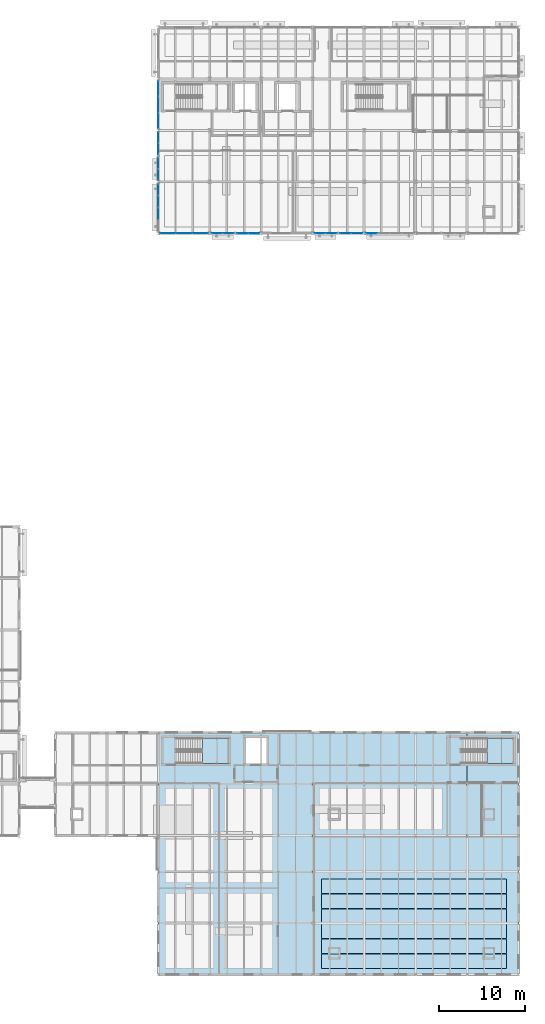
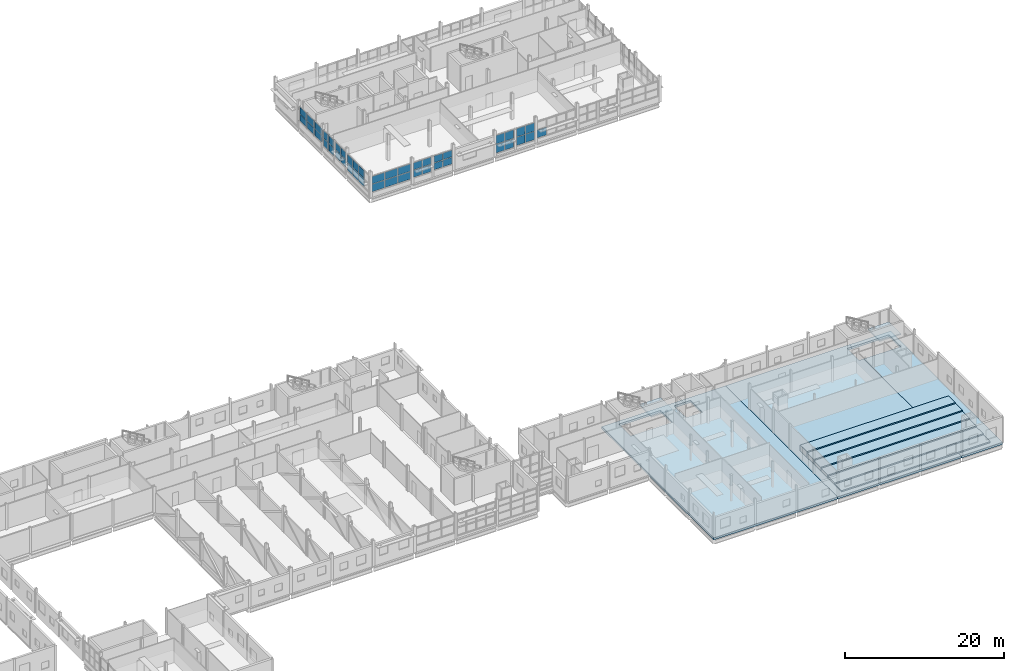
# One storey, part 49 of 92: 43 plates, 11 slabs, 12 elements without a shape of their own.
"""IFC4 building model written with IfcOpenShell, lengths in metres."""

from ifc_helpers import new_model, si_unit, direction, frame, origin, origin_2d, place, context, subcontext, project, spatial, polyline, rectangle, outline, extrude, material, layer, layer_set, type_object, element, aggregate, save


model = new_model("IFC4")

# Units and contexts
model_context = context("Model", 3, precision=1e-05, world=origin(), true_north=direction((0.0, 1.0)))
body_context = subcontext(model_context, "Body", "Model", "MODEL_VIEW")
ifc_project = project(units=[si_unit("LENGTHUNIT", "METRE"), si_unit("AREAUNIT", "SQUARE_METRE"), si_unit("VOLUMEUNIT", "CUBIC_METRE"), si_unit("PLANEANGLEUNIT", "RADIAN"), si_unit("MASSUNIT", "GRAM", prefix="KILO")], contexts=[model_context])

# Site, building, storey
site_placement = place(None, origin())
site = spatial("IfcSite", under=ifc_project, at=site_placement, CompositionType="ELEMENT")
building_placement = place(site_placement, origin())
building = spatial("IfcBuilding", under=site, at=building_placement, Name="Siltcreek Boulevard Central Fire Station", CompositionType="ELEMENT")
storey_placement = place(building_placement, frame((0.0, 0.0, 6.0)))
storey = spatial("IfcBuildingStorey", under=building, at=storey_placement, Name="L02", CompositionType="ELEMENT", Elevation=6.0)

# Curtain wall, plates
ifc_material_1 = material(Name="Anodized aluminum and low-E insulated glazing", Category="aluminium")
curtain_wall_type_1 = type_object("IfcCurtainWallType", Name="CW_SYS_04", PredefinedType="USERDEFINED", material=ifc_material_1)
curtain_wall_1_placement = place(storey_placement, origin())
curtain_wall_1 = element("IfcCurtainWall", 1, at=curtain_wall_1_placement, inside=storey, type_object=curtain_wall_type_1, Name="L02 V5 unitised curtain wall CW-123", ObjectType="CURTAIN WALL", PredefinedType="USERDEFINED")
ifc_material_2 = material(Name="Low-E double insulated glass unit", Category="glass")
ifc_layer_1 = layer(ifc_material_2, 0.028076171875, Name="Low-E double insulated glass unit")
ifc_layer_set_1 = layer_set([ifc_layer_1], Name="Low-E double insulated glass unit")
plate_type_1 = type_object("IfcPlateType", Name="CWP_GLZ_1", PredefinedType="CURTAIN_PANEL", material=ifc_layer_set_1)
plate_1_placement = place(storey_placement, frame((125.311767578125, 88.199951171875, 0.739990234375), z_axis=(0.0, 0.0, 1.0), x_axis=(1.0, 0.0, 0.0)))
plate_1 = element("IfcPlate", 2, at=plate_1_placement, type_object=plate_type_1, Name="CW-123 panel 1.1", PredefinedType="CURTAIN_PANEL", context=body_context, shape_type="SweptSolid", body=[
    extrude(rectangle(XDim=1.813232421875, YDim=0.028076171875, at=origin_2d()), origin(), (0.0, 0.0, 1.0), 1.146484375),
])
plate_2_placement = place(storey_placement, frame((125.311767578125, 88.199951171875, 1.946533203125), z_axis=(0.0, 0.0, 1.0), x_axis=(1.0, 0.0, 0.0)))
plate_2 = element("IfcPlate", 3, at=plate_2_placement, type_object=plate_type_1, Name="CW-123 panel 1.2", PredefinedType="CURTAIN_PANEL", context=body_context, shape_type="SweptSolid", body=[
    extrude(rectangle(XDim=1.813232421875, YDim=0.028076171875, at=origin_2d()), origin(), (0.0, 0.0, 1.0), 1.146484375),
])
plate_3_placement = place(storey_placement, frame((127.199951171875, 88.199951171875, 0.739990234375), z_axis=(0.0, 0.0, 1.0), x_axis=(1.0, 0.0, 0.0)))
plate_3 = element("IfcPlate", 4, at=plate_3_placement, type_object=plate_type_1, Name="CW-123 panel 2.1", PredefinedType="CURTAIN_PANEL", context=body_context, shape_type="SweptSolid", body=[
    extrude(rectangle(XDim=1.84326171875, YDim=0.028076171875, at=origin_2d()), origin(), (0.0, 0.0, 1.0), 1.146484375),
])
plate_4_placement = place(storey_placement, frame((127.199951171875, 88.199951171875, 1.946533203125), z_axis=(0.0, 0.0, 1.0), x_axis=(1.0, 0.0, 0.0)))
plate_4 = element("IfcPlate", 5, at=plate_4_placement, type_object=plate_type_1, Name="CW-123 panel 2.2", PredefinedType="CURTAIN_PANEL", context=body_context, shape_type="SweptSolid", body=[
    extrude(rectangle(XDim=1.84326171875, YDim=0.028076171875, at=origin_2d()), origin(), (0.0, 0.0, 1.0), 1.146484375),
])
plate_5_placement = place(storey_placement, frame((129.08837890625, 88.199951171875, 0.739990234375), z_axis=(0.0, 0.0, 1.0), x_axis=(1.0, 0.0, 0.0)))
plate_5 = element("IfcPlate", 6, at=plate_5_placement, type_object=plate_type_1, Name="CW-123 panel 3.1", PredefinedType="CURTAIN_PANEL", context=body_context, shape_type="SweptSolid", body=[
    extrude(rectangle(XDim=1.813232421875, YDim=0.028076171875, at=origin_2d()), origin(), (0.0, 0.0, 1.0), 1.146484375),
])
plate_6_placement = place(storey_placement, frame((129.08837890625, 88.199951171875, 1.946533203125), z_axis=(0.0, 0.0, 1.0), x_axis=(1.0, 0.0, 0.0)))
plate_6 = element("IfcPlate", 7, at=plate_6_placement, type_object=plate_type_1, Name="CW-123 panel 3.2", PredefinedType="CURTAIN_PANEL", context=body_context, shape_type="SweptSolid", body=[
    extrude(rectangle(XDim=1.813232421875, YDim=0.028076171875, at=origin_2d()), origin(), (0.0, 0.0, 1.0), 1.146484375),
])
aggregate(curtain_wall_1, [plate_1, plate_2, plate_3, plate_4, plate_5, plate_6])

curtain_wall_type_2 = type_object("IfcCurtainWallType", Name="CW_SYS_07", PredefinedType="USERDEFINED", material=ifc_material_1)
curtain_wall_2_placement = place(storey_placement, origin())
curtain_wall_2 = element("IfcCurtainWall", 8, at=curtain_wall_2_placement, inside=storey, type_object=curtain_wall_type_2, Name="L02 V5 unitised curtain wall CW-126", ObjectType="CURTAIN WALL", PredefinedType="USERDEFINED")
plate_7_placement = place(storey_placement, frame((143.0400390625, 88.199951171875, 0.384765625), z_axis=(0.0, 0.0, 1.0), x_axis=(1.0, 0.0, 0.0)))
plate_7 = element("IfcPlate", 9, at=plate_7_placement, type_object=plate_type_1, Name="CW-126 panel 1.1", PredefinedType="CURTAIN_PANEL", context=body_context, shape_type="SweptSolid", body=[
    extrude(rectangle(XDim=1.260009765625, YDim=0.028076171875, at=origin_2d()), origin(), (0.0, 0.0, 1.0), 1.319091796875),
])
plate_8_placement = place(storey_placement, frame((143.0400390625, 88.199951171875, 1.76904296875), z_axis=(0.0, 0.0, 1.0), x_axis=(1.0, 0.0, 0.0)))
plate_8 = element("IfcPlate", 10, at=plate_8_placement, type_object=plate_type_1, Name="CW-126 panel 1.2", PredefinedType="CURTAIN_PANEL", context=body_context, shape_type="SweptSolid", body=[
    extrude(rectangle(XDim=1.260009765625, YDim=0.028076171875, at=origin_2d()), origin(), (0.0, 0.0, 1.0), 1.319091796875),
])
plate_9_placement = place(storey_placement, frame((144.364990234375, 88.199951171875, 0.384765625), z_axis=(0.0, 0.0, 1.0), x_axis=(1.0, 0.0, 0.0)))
plate_9 = element("IfcPlate", 11, at=plate_9_placement, type_object=plate_type_1, Name="CW-126 panel 2.1", PredefinedType="CURTAIN_PANEL", context=body_context, shape_type="SweptSolid", body=[
    extrude(rectangle(XDim=1.260009765625, YDim=0.028076171875, at=origin_2d()), origin(), (0.0, 0.0, 1.0), 1.319091796875),
])
plate_10_placement = place(storey_placement, frame((144.364990234375, 88.199951171875, 1.76904296875), z_axis=(0.0, 0.0, 1.0), x_axis=(1.0, 0.0, 0.0)))
plate_10 = element("IfcPlate", 12, at=plate_10_placement, type_object=plate_type_1, Name="CW-126 panel 2.2", PredefinedType="CURTAIN_PANEL", context=body_context, shape_type="SweptSolid", body=[
    extrude(rectangle(XDim=1.260009765625, YDim=0.028076171875, at=origin_2d()), origin(), (0.0, 0.0, 1.0), 1.319091796875),
])
aggregate(curtain_wall_2, [plate_7, plate_8, plate_9, plate_10])

curtain_wall_type_3 = type_object("IfcCurtainWallType", Name="CW_SYS_22", PredefinedType="USERDEFINED", material=ifc_material_1)
curtain_wall_3_placement = place(storey_placement, origin())
curtain_wall_3 = element("IfcCurtainWall", 13, at=curtain_wall_3_placement, inside=storey, type_object=curtain_wall_type_3, Name="L02 V5 unitised curtain wall CW-141", ObjectType="CURTAIN WALL", PredefinedType="USERDEFINED")
plate_11_placement = place(storey_placement, frame((124.199951171875, 99.361328125, 0.739990234375), z_axis=(0.0, 0.0, 1.0), x_axis=(0.0, -1.0, 0.0)))
plate_11 = element("IfcPlate", 14, at=plate_11_placement, type_object=plate_type_1, Name="CW-141 panel 1.1", PredefinedType="CURTAIN_PANEL", context=body_context, shape_type="SweptSolid", body=[
    extrude(rectangle(XDim=1.267578125, YDim=0.028076171875, at=origin_2d()), origin(), (0.0, 0.0, 1.0), 1.1484375),
])
plate_12_placement = place(storey_placement, frame((124.199951171875, 99.361328125, 1.948486328125), z_axis=(0.0, 0.0, 1.0), x_axis=(0.0, -1.0, 0.0)))
plate_12 = element("IfcPlate", 15, at=plate_12_placement, type_object=plate_type_1, Name="CW-141 panel 1.2", PredefinedType="CURTAIN_PANEL", context=body_context, shape_type="SweptSolid", body=[
    extrude(rectangle(XDim=1.267578125, YDim=0.028076171875, at=origin_2d()), origin(), (0.0, 0.0, 1.0), 1.1484375),
])
plate_13_placement = place(storey_placement, frame((124.199951171875, 98.03369140625, 0.739990234375), z_axis=(0.0, 0.0, 1.0), x_axis=(0.0, -1.0, 0.0)))
plate_13 = element("IfcPlate", 16, at=plate_13_placement, type_object=plate_type_1, Name="CW-141 panel 2.1", PredefinedType="CURTAIN_PANEL", context=body_context, shape_type="SweptSolid", body=[
    extrude(rectangle(XDim=1.267578125, YDim=0.028076171875, at=origin_2d()), origin(), (0.0, 0.0, 1.0), 1.1484375),
])
plate_14_placement = place(storey_placement, frame((124.199951171875, 98.03369140625, 1.948486328125), z_axis=(0.0, 0.0, 1.0), x_axis=(0.0, -1.0, 0.0)))
plate_14 = element("IfcPlate", 17, at=plate_14_placement, type_object=plate_type_1, Name="CW-141 panel 2.2", PredefinedType="CURTAIN_PANEL", context=body_context, shape_type="SweptSolid", body=[
    extrude(rectangle(XDim=1.267578125, YDim=0.028076171875, at=origin_2d()), origin(), (0.0, 0.0, 1.0), 1.1484375),
])
aggregate(curtain_wall_3, [plate_11, plate_12, plate_13, plate_14])

curtain_wall_type_4 = type_object("IfcCurtainWallType", Name="CW_SYS_05", PredefinedType="USERDEFINED", material=ifc_material_1)
curtain_wall_4_placement = place(storey_placement, origin())
curtain_wall_4 = element("IfcCurtainWall", 18, at=curtain_wall_4_placement, inside=storey, type_object=curtain_wall_type_4, Name="L02 V5 unitised curtain wall CW-124", ObjectType="CURTAIN WALL", PredefinedType="USERDEFINED")
ifc_layer_2 = layer(ifc_material_2, 0.0380859375, Name="Low-E double insulated glass unit")
ifc_layer_set_2 = layer_set([ifc_layer_2], Name="Low-E double insulated glass unit")
plate_type_2 = type_object("IfcPlateType", Name="CWP_GLZ_2", PredefinedType="CURTAIN_PANEL", material=ifc_layer_set_2)
plate_15_placement = place(storey_placement, frame((131.0400390625, 88.199951171875, 0.864990234375), z_axis=(0.0, 0.0, 1.0), x_axis=(1.0, 0.0, 0.0)))
plate_15 = element("IfcPlate", 19, at=plate_15_placement, type_object=plate_type_2, Name="CW-124 panel 1.1", PredefinedType="CURTAIN_PANEL", context=body_context, shape_type="SweptSolid", body=[
    extrude(rectangle(XDim=1.260009765625, YDim=0.0380859375, at=origin_2d()), origin(), (0.0, 0.0, 1.0), 1.0791015625),
])
plate_16_placement = place(storey_placement, frame((131.0400390625, 88.199951171875, 2.009033203125), z_axis=(0.0, 0.0, 1.0), x_axis=(1.0, 0.0, 0.0)))
plate_16 = element("IfcPlate", 20, at=plate_16_placement, type_object=plate_type_2, Name="CW-124 panel 1.2", PredefinedType="CURTAIN_PANEL", context=body_context, shape_type="SweptSolid", body=[
    extrude(rectangle(XDim=1.260009765625, YDim=0.0380859375, at=origin_2d()), origin(), (0.0, 0.0, 1.0), 1.0791015625),
])
plate_17_placement = place(storey_placement, frame((132.364990234375, 88.199951171875, 0.864990234375), z_axis=(0.0, 0.0, 1.0), x_axis=(1.0, 0.0, 0.0)))
plate_17 = element("IfcPlate", 21, at=plate_17_placement, type_object=plate_type_2, Name="CW-124 panel 2.1", PredefinedType="CURTAIN_PANEL", context=body_context, shape_type="SweptSolid", body=[
    extrude(rectangle(XDim=1.260009765625, YDim=0.0380859375, at=origin_2d()), origin(), (0.0, 0.0, 1.0), 1.0791015625),
])
plate_18_placement = place(storey_placement, frame((132.364990234375, 88.199951171875, 2.009033203125), z_axis=(0.0, 0.0, 1.0), x_axis=(1.0, 0.0, 0.0)))
plate_18 = element("IfcPlate", 22, at=plate_18_placement, type_object=plate_type_2, Name="CW-124 panel 2.2", PredefinedType="CURTAIN_PANEL", context=body_context, shape_type="SweptSolid", body=[
    extrude(rectangle(XDim=1.260009765625, YDim=0.0380859375, at=origin_2d()), origin(), (0.0, 0.0, 1.0), 1.0791015625),
])
aggregate(curtain_wall_4, [plate_15, plate_16, plate_17, plate_18])

curtain_wall_type_5 = type_object("IfcCurtainWallType", Name="CW_SYS_08", PredefinedType="USERDEFINED", material=ifc_material_1)
curtain_wall_5_placement = place(storey_placement, origin())
curtain_wall_5 = element("IfcCurtainWall", 23, at=curtain_wall_5_placement, inside=storey, type_object=curtain_wall_type_5, Name="L02 V5 unitised curtain wall CW-127", ObjectType="CURTAIN WALL", PredefinedType="USERDEFINED")
plate_19_placement = place(storey_placement, frame((146.03369140625, 88.199951171875, 0.5), z_axis=(0.0, 0.0, 1.0), x_axis=(1.0, 0.0, 0.0)))
plate_19 = element("IfcPlate", 24, at=plate_19_placement, type_object=plate_type_2, Name="CW-127 panel 1.1", PredefinedType="CURTAIN_PANEL", context=body_context, shape_type="SweptSolid", body=[
    extrude(rectangle(XDim=1.267578125, YDim=0.0380859375, at=origin_2d()), origin(), (0.0, 0.0, 1.0), 1.2666015625),
])
plate_20_placement = place(storey_placement, frame((146.03369140625, 88.199951171875, 1.826416015625), z_axis=(0.0, 0.0, 1.0), x_axis=(1.0, 0.0, 0.0)))
plate_20 = element("IfcPlate", 25, at=plate_20_placement, type_object=plate_type_2, Name="CW-127 panel 1.2", PredefinedType="CURTAIN_PANEL", context=body_context, shape_type="SweptSolid", body=[
    extrude(rectangle(XDim=1.267578125, YDim=0.0380859375, at=origin_2d()), origin(), (0.0, 0.0, 1.0), 1.2666015625),
])
plate_21_placement = place(storey_placement, frame((147.361328125, 88.199951171875, 0.5), z_axis=(0.0, 0.0, 1.0), x_axis=(1.0, 0.0, 0.0)))
plate_21 = element("IfcPlate", 26, at=plate_21_placement, type_object=plate_type_2, Name="CW-127 panel 2.1", PredefinedType="CURTAIN_PANEL", context=body_context, shape_type="SweptSolid", body=[
    extrude(rectangle(XDim=1.267578125, YDim=0.0380859375, at=origin_2d()), origin(), (0.0, 0.0, 1.0), 1.2666015625),
])
plate_22_placement = place(storey_placement, frame((147.361328125, 88.199951171875, 1.826416015625), z_axis=(0.0, 0.0, 1.0), x_axis=(1.0, 0.0, 0.0)))
plate_22 = element("IfcPlate", 27, at=plate_22_placement, type_object=plate_type_2, Name="CW-127 panel 2.2", PredefinedType="CURTAIN_PANEL", context=body_context, shape_type="SweptSolid", body=[
    extrude(rectangle(XDim=1.267578125, YDim=0.0380859375, at=origin_2d()), origin(), (0.0, 0.0, 1.0), 1.2666015625),
])
aggregate(curtain_wall_5, [plate_19, plate_20, plate_21, plate_22])

curtain_wall_type_6 = type_object("IfcCurtainWallType", Name="CW_SYS_23", PredefinedType="USERDEFINED", material=ifc_material_1)
curtain_wall_6_placement = place(storey_placement, origin())
curtain_wall_6 = element("IfcCurtainWall", 28, at=curtain_wall_6_placement, inside=storey, type_object=curtain_wall_type_6, Name="L02 V5 unitised curtain wall CW-142", ObjectType="CURTAIN WALL", PredefinedType="USERDEFINED")
plate_23_placement = place(storey_placement, frame((124.199951171875, 96.364990234375, 0.864990234375), z_axis=(0.0, 0.0, 1.0), x_axis=(0.0, -1.0, 0.0)))
plate_23 = element("IfcPlate", 29, at=plate_23_placement, type_object=plate_type_2, Name="CW-142 panel 1.1", PredefinedType="CURTAIN_PANEL", context=body_context, shape_type="SweptSolid", body=[
    extrude(rectangle(XDim=1.260009765625, YDim=0.0380859375, at=origin_2d()), origin(), (0.0, 0.0, 1.0), 1.0810546875),
])
plate_24_placement = place(storey_placement, frame((124.199951171875, 96.364990234375, 2.010986328125), z_axis=(0.0, 0.0, 1.0), x_axis=(0.0, -1.0, 0.0)))
plate_24 = element("IfcPlate", 30, at=plate_24_placement, type_object=plate_type_2, Name="CW-142 panel 1.2", PredefinedType="CURTAIN_PANEL", context=body_context, shape_type="SweptSolid", body=[
    extrude(rectangle(XDim=1.260009765625, YDim=0.0380859375, at=origin_2d()), origin(), (0.0, 0.0, 1.0), 1.0810546875),
])
plate_25_placement = place(storey_placement, frame((124.199951171875, 95.0400390625, 0.864990234375), z_axis=(0.0, 0.0, 1.0), x_axis=(0.0, -1.0, 0.0)))
plate_25 = element("IfcPlate", 31, at=plate_25_placement, type_object=plate_type_2, Name="CW-142 panel 2.1", PredefinedType="CURTAIN_PANEL", context=body_context, shape_type="SweptSolid", body=[
    extrude(rectangle(XDim=1.260009765625, YDim=0.0380859375, at=origin_2d()), origin(), (0.0, 0.0, 1.0), 1.0810546875),
])
plate_26_placement = place(storey_placement, frame((124.199951171875, 95.0400390625, 2.010986328125), z_axis=(0.0, 0.0, 1.0), x_axis=(0.0, -1.0, 0.0)))
plate_26 = element("IfcPlate", 32, at=plate_26_placement, type_object=plate_type_2, Name="CW-142 panel 2.2", PredefinedType="CURTAIN_PANEL", context=body_context, shape_type="SweptSolid", body=[
    extrude(rectangle(XDim=1.260009765625, YDim=0.0380859375, at=origin_2d()), origin(), (0.0, 0.0, 1.0), 1.0810546875),
])
aggregate(curtain_wall_6, [plate_23, plate_24, plate_25, plate_26])

curtain_wall_type_7 = type_object("IfcCurtainWallType", Name="CW_SYS_06", PredefinedType="USERDEFINED", material=ifc_material_1)
curtain_wall_7_placement = place(storey_placement, origin())
curtain_wall_7 = element("IfcCurtainWall", 33, at=curtain_wall_7_placement, inside=storey, type_object=curtain_wall_type_7, Name="L02 V5 unitised curtain wall CW-125", ObjectType="CURTAIN WALL", PredefinedType="USERDEFINED")
ifc_layer_3 = layer(ifc_material_2, 0.048095703125, Name="Low-E double insulated glass unit")
ifc_layer_set_3 = layer_set([ifc_layer_3], Name="Low-E double insulated glass unit")
plate_type_3 = type_object("IfcPlateType", Name="CWP_GLZ_3", PredefinedType="CURTAIN_PANEL", material=ifc_layer_set_3)
plate_27_placement = place(storey_placement, frame((134.03369140625, 88.199951171875, 0.97998046875), z_axis=(0.0, 0.0, 1.0), x_axis=(1.0, 0.0, 0.0)))
plate_27 = element("IfcPlate", 34, at=plate_27_placement, type_object=plate_type_3, Name="CW-125 panel 1.1", PredefinedType="CURTAIN_PANEL", context=body_context, shape_type="SweptSolid", body=[
    extrude(rectangle(XDim=1.267578125, YDim=0.048095703125, at=origin_2d()), origin(), (0.0, 0.0, 1.0), 1.026611328125),
])
plate_28_placement = place(storey_placement, frame((134.03369140625, 88.199951171875, 2.06640625), z_axis=(0.0, 0.0, 1.0), x_axis=(1.0, 0.0, 0.0)))
plate_28 = element("IfcPlate", 35, at=plate_28_placement, type_object=plate_type_3, Name="CW-125 panel 1.2", PredefinedType="CURTAIN_PANEL", context=body_context, shape_type="SweptSolid", body=[
    extrude(rectangle(XDim=1.267578125, YDim=0.048095703125, at=origin_2d()), origin(), (0.0, 0.0, 1.0), 1.026611328125),
])
plate_29_placement = place(storey_placement, frame((135.361328125, 88.199951171875, 0.97998046875), z_axis=(0.0, 0.0, 1.0), x_axis=(1.0, 0.0, 0.0)))
plate_29 = element("IfcPlate", 36, at=plate_29_placement, type_object=plate_type_3, Name="CW-125 panel 2.1", PredefinedType="CURTAIN_PANEL", context=body_context, shape_type="SweptSolid", body=[
    extrude(rectangle(XDim=1.267578125, YDim=0.048095703125, at=origin_2d()), origin(), (0.0, 0.0, 1.0), 1.026611328125),
])
plate_30_placement = place(storey_placement, frame((135.361328125, 88.199951171875, 2.06640625), z_axis=(0.0, 0.0, 1.0), x_axis=(1.0, 0.0, 0.0)))
plate_30 = element("IfcPlate", 37, at=plate_30_placement, type_object=plate_type_3, Name="CW-125 panel 2.2", PredefinedType="CURTAIN_PANEL", context=body_context, shape_type="SweptSolid", body=[
    extrude(rectangle(XDim=1.267578125, YDim=0.048095703125, at=origin_2d()), origin(), (0.0, 0.0, 1.0), 1.026611328125),
])
aggregate(curtain_wall_7, [plate_27, plate_28, plate_29, plate_30])

# Curtain wall, plate
curtain_wall_type_8 = type_object("IfcCurtainWallType", Name="CW_SYS_09", PredefinedType="USERDEFINED", material=ifc_material_1)
curtain_wall_8_placement = place(storey_placement, origin())
curtain_wall_8 = element("IfcCurtainWall", 38, at=curtain_wall_8_placement, inside=storey, type_object=curtain_wall_type_8, Name="L02 V5 unitised curtain wall CW-128", ObjectType="CURTAIN WALL", PredefinedType="USERDEFINED")
plate_31_placement = place(storey_placement, frame((149.074951171875, 88.199951171875, 0.625), z_axis=(0.0, 0.0, 1.0), x_axis=(1.0, 0.0, 0.0)))
plate_31 = element("IfcPlate", 39, at=plate_31_placement, type_object=plate_type_3, Name="CW-128 panel 1.1", PredefinedType="CURTAIN_PANEL", context=body_context, shape_type="SweptSolid", body=[
    extrude(rectangle(XDim=1.330078125, YDim=0.048095703125, at=origin_2d()), origin(), (0.0, 0.0, 1.0), 1.198974609375),
])
aggregate(curtain_wall_8, [plate_31])

# Curtain wall, plates
curtain_wall_type_9 = type_object("IfcCurtainWallType", Name="CW_SYS_21", PredefinedType="USERDEFINED", material=ifc_material_1)
curtain_wall_9_placement = place(storey_placement, origin())
curtain_wall_9 = element("IfcCurtainWall", 40, at=curtain_wall_9_placement, inside=storey, type_object=curtain_wall_type_9, Name="L02 V5 unitised curtain wall CW-140", ObjectType="CURTAIN WALL", PredefinedType="USERDEFINED")
plate_32_placement = place(storey_placement, frame((124.199951171875, 93.324951171875, 0.625), z_axis=(0.0, 0.0, 1.0), x_axis=(0.0, -1.0, 0.0)))
plate_32 = element("IfcPlate", 41, at=plate_32_placement, type_object=plate_type_3, Name="CW-140 panel 1.1", PredefinedType="CURTAIN_PANEL", context=body_context, shape_type="SweptSolid", body=[
    extrude(rectangle(XDim=1.330078125, YDim=0.048095703125, at=origin_2d()), origin(), (0.0, 0.0, 1.0), 1.200927734375),
])
plate_33_placement = place(storey_placement, frame((124.199951171875, 93.324951171875, 1.89111328125), z_axis=(0.0, 0.0, 1.0), x_axis=(0.0, -1.0, 0.0)))
plate_33 = element("IfcPlate", 42, at=plate_33_placement, type_object=plate_type_3, Name="CW-140 panel 1.2", PredefinedType="CURTAIN_PANEL", context=body_context, shape_type="SweptSolid", body=[
    extrude(rectangle(XDim=1.330078125, YDim=0.048095703125, at=origin_2d()), origin(), (0.0, 0.0, 1.0), 1.200927734375),
])
plate_34_placement = place(storey_placement, frame((124.199951171875, 91.913818359375, 0.625), z_axis=(0.0, 0.0, 1.0), x_axis=(0.0, -1.0, 0.0)))
plate_34 = element("IfcPlate", 43, at=plate_34_placement, type_object=plate_type_3, Name="CW-140 panel 2.1", PredefinedType="CURTAIN_PANEL", context=body_context, shape_type="SweptSolid", body=[
    extrude(rectangle(XDim=1.362548828125, YDim=0.048095703125, at=origin_2d()), origin(), (0.0, 0.0, 1.0), 1.200927734375),
])
plate_35_placement = place(storey_placement, frame((124.199951171875, 91.913818359375, 1.89111328125), z_axis=(0.0, 0.0, 1.0), x_axis=(0.0, -1.0, 0.0)))
plate_35 = element("IfcPlate", 44, at=plate_35_placement, type_object=plate_type_3, Name="CW-140 panel 2.2", PredefinedType="CURTAIN_PANEL", context=body_context, shape_type="SweptSolid", body=[
    extrude(rectangle(XDim=1.362548828125, YDim=0.048095703125, at=origin_2d()), origin(), (0.0, 0.0, 1.0), 1.200927734375),
])
plate_36_placement = place(storey_placement, frame((124.199951171875, 90.486328125, 0.625), z_axis=(0.0, 0.0, 1.0), x_axis=(0.0, -1.0, 0.0)))
plate_36 = element("IfcPlate", 45, at=plate_36_placement, type_object=plate_type_3, Name="CW-140 panel 3.1", PredefinedType="CURTAIN_PANEL", context=body_context, shape_type="SweptSolid", body=[
    extrude(rectangle(XDim=1.362548828125, YDim=0.048095703125, at=origin_2d()), origin(), (0.0, 0.0, 1.0), 1.200927734375),
])
plate_37_placement = place(storey_placement, frame((124.199951171875, 90.486328125, 1.89111328125), z_axis=(0.0, 0.0, 1.0), x_axis=(0.0, -1.0, 0.0)))
plate_37 = element("IfcPlate", 46, at=plate_37_placement, type_object=plate_type_3, Name="CW-140 panel 3.2", PredefinedType="CURTAIN_PANEL", context=body_context, shape_type="SweptSolid", body=[
    extrude(rectangle(XDim=1.362548828125, YDim=0.048095703125, at=origin_2d()), origin(), (0.0, 0.0, 1.0), 1.200927734375),
])
aggregate(curtain_wall_9, [plate_32, plate_33, plate_34, plate_35, plate_36, plate_37])

curtain_wall_type_10 = type_object("IfcCurtainWallType", Name="CW_SYS_24", PredefinedType="USERDEFINED", material=ifc_material_1)
curtain_wall_10_placement = place(storey_placement, origin())
curtain_wall_10 = element("IfcCurtainWall", 47, at=curtain_wall_10_placement, inside=storey, type_object=curtain_wall_type_10, Name="L02 V5 unitised curtain wall CW-143", ObjectType="CURTAIN WALL", PredefinedType="USERDEFINED")
plate_38_placement = place(storey_placement, frame((124.199951171875, 105.08837890625, 0.97998046875), z_axis=(0.0, 0.0, 1.0), x_axis=(0.0, -1.0, 0.0)))
plate_38 = element("IfcPlate", 48, at=plate_38_placement, type_object=plate_type_3, Name="CW-143 panel 1.1", PredefinedType="CURTAIN_PANEL", context=body_context, shape_type="SweptSolid", body=[
    extrude(rectangle(XDim=1.813232421875, YDim=0.048095703125, at=origin_2d()), origin(), (0.0, 0.0, 1.0), 1.028564453125),
])
plate_39_placement = place(storey_placement, frame((124.199951171875, 105.08837890625, 2.068359375), z_axis=(0.0, 0.0, 1.0), x_axis=(0.0, -1.0, 0.0)))
plate_39 = element("IfcPlate", 49, at=plate_39_placement, type_object=plate_type_3, Name="CW-143 panel 1.2", PredefinedType="CURTAIN_PANEL", context=body_context, shape_type="SweptSolid", body=[
    extrude(rectangle(XDim=1.813232421875, YDim=0.048095703125, at=origin_2d()), origin(), (0.0, 0.0, 1.0), 1.028564453125),
])
plate_40_placement = place(storey_placement, frame((124.199951171875, 103.199951171875, 0.97998046875), z_axis=(0.0, 0.0, 1.0), x_axis=(0.0, -1.0, 0.0)))
plate_40 = element("IfcPlate", 50, at=plate_40_placement, type_object=plate_type_3, Name="CW-143 panel 2.1", PredefinedType="CURTAIN_PANEL", context=body_context, shape_type="SweptSolid", body=[
    extrude(rectangle(XDim=1.84326171875, YDim=0.048095703125, at=origin_2d()), origin(), (0.0, 0.0, 1.0), 1.028564453125),
])
plate_41_placement = place(storey_placement, frame((124.199951171875, 103.199951171875, 2.068359375), z_axis=(0.0, 0.0, 1.0), x_axis=(0.0, -1.0, 0.0)))
plate_41 = element("IfcPlate", 51, at=plate_41_placement, type_object=plate_type_3, Name="CW-143 panel 2.2", PredefinedType="CURTAIN_PANEL", context=body_context, shape_type="SweptSolid", body=[
    extrude(rectangle(XDim=1.84326171875, YDim=0.048095703125, at=origin_2d()), origin(), (0.0, 0.0, 1.0), 1.028564453125),
])
plate_42_placement = place(storey_placement, frame((124.199951171875, 101.311767578125, 0.97998046875), z_axis=(0.0, 0.0, 1.0), x_axis=(0.0, -1.0, 0.0)))
plate_42 = element("IfcPlate", 52, at=plate_42_placement, type_object=plate_type_3, Name="CW-143 panel 3.1", PredefinedType="CURTAIN_PANEL", context=body_context, shape_type="SweptSolid", body=[
    extrude(rectangle(XDim=1.813232421875, YDim=0.048095703125, at=origin_2d()), origin(), (0.0, 0.0, 1.0), 1.028564453125),
])
plate_43_placement = place(storey_placement, frame((124.199951171875, 101.311767578125, 2.068359375), z_axis=(0.0, 0.0, 1.0), x_axis=(0.0, -1.0, 0.0)))
plate_43 = element("IfcPlate", 53, at=plate_43_placement, type_object=plate_type_3, Name="CW-143 panel 3.2", PredefinedType="CURTAIN_PANEL", context=body_context, shape_type="SweptSolid", body=[
    extrude(rectangle(XDim=1.813232421875, YDim=0.048095703125, at=origin_2d()), origin(), (0.0, 0.0, 1.0), 1.028564453125),
])
aggregate(curtain_wall_10, [plate_38, plate_39, plate_40, plate_41, plate_42, plate_43])

# Slabs
ifc_material_3 = material(Name="Concrete C35/45", Category="concrete")
ifc_layer_4 = layer(ifc_material_3, 0.320068359375, Name="Concrete C35/45")
ifc_layer_set_4 = layer_set([ifc_layer_4], Name="Concrete C35/45")
slab_type_1 = type_object("IfcSlabType", Name="SL_FLR320", PredefinedType="FLOOR", material=ifc_layer_set_4)
slab_1_placement = place(storey_placement, frame((0.0, 0.0, -0.320068359375)))
element("IfcSlab", 54, at=slab_1_placement, inside=storey, type_object=slab_type_1, Name="L02 V6 structural floor slab SL-031", PredefinedType="FLOOR", context=body_context, shape_type="SweptSolid", body=[
    extrude(outline(polyline([(124.199951171875, 30.0), (142.199951171875, 30.0), (142.199951171875, 1.800048828125), (124.199951171875, 1.800048828125), (124.199951171875, 30.0)]), holes=[polyline([(132.39990234375, 26.39990234375), (132.39990234375, 29.39990234375), (126.360107421875, 29.39990234375), (126.360107421875, 26.39990234375), (132.39990234375, 26.39990234375)]), polyline([(136.800048828125, 26.39990234375), (136.800048828125, 29.39990234375), (134.39990234375, 29.39990234375), (134.39990234375, 26.39990234375), (136.800048828125, 26.39990234375)])]), origin(), (0.0, 0.0, 1.0), 0.320068359375),
])
slab_2_placement = place(storey_placement, frame((0.0, 0.0, -0.320068359375)))
element("IfcSlab", 55, at=slab_2_placement, inside=storey, type_object=slab_type_1, Name="L02 V6 structural floor slab SL-032", PredefinedType="FLOOR", context=body_context, shape_type="SweptSolid", body=[
    extrude(outline(polyline([(142.199951171875, 1.800048828125), (142.199951171875, 30.0), (160.199951171875, 30.0), (160.199951171875, 29.39990234375), (159.56005859375, 29.39990234375), (159.56005859375, 26.39990234375), (160.199951171875, 26.39990234375), (160.199951171875, 1.800048828125), (142.199951171875, 1.800048828125)]), holes=[polyline([(145.179931640625, 4.780029296875), (144.219970703125, 4.780029296875), (144.219970703125, 3.820068359375), (145.179931640625, 3.820068359375), (145.179931640625, 4.780029296875)])]), origin(), (0.0, 0.0, 1.0), 0.320068359375),
])
slab_3_placement = place(storey_placement, frame((0.0, 0.0, -0.320068359375)))
element("IfcSlab", 56, at=slab_3_placement, inside=storey, type_object=slab_type_1, Name="L02 V6 structural floor slab SL-033", PredefinedType="FLOOR", context=body_context, shape_type="SweptSolid", body=[
    extrude(outline(polyline([(166.199951171875, 30.0), (166.199951171875, 1.800048828125), (160.199951171875, 1.800048828125), (160.199951171875, 26.39990234375), (165.60009765625, 26.39990234375), (165.60009765625, 29.39990234375), (160.199951171875, 29.39990234375), (160.199951171875, 30.0), (166.199951171875, 30.0)]), holes=[polyline([(163.179931640625, 4.780029296875), (162.219970703125, 4.780029296875), (162.219970703125, 3.820068359375), (163.179931640625, 3.820068359375), (163.179931640625, 4.780029296875)])]), origin(), (0.0, 0.0, 1.0), 0.320068359375),
])

# Stair, slab
ifc_material_4 = material(Name="Precast concrete C40/50", Category="concrete")
stair_type = type_object("IfcStairType", Name="ST_DOG_H40", PredefinedType="HALF_TURN_STAIR", material=ifc_material_4)
stair_1_placement = place(storey_placement, origin())
stair_1 = element("IfcStair", 57, at=stair_1_placement, inside=storey, type_object=stair_type, Name="L02 Enclosed exit stairway ST-V6A", PredefinedType="HALF_TURN_STAIR")
ifc_layer_5 = layer(ifc_material_4, 0.199951171875, Name="Precast concrete C40/50")
ifc_layer_set_5 = layer_set([ifc_layer_5], Name="Precast concrete C40/50")
slab_type_2 = type_object("IfcSlabType", Name="SL_LAND200", PredefinedType="LANDING", material=ifc_layer_set_5)
slab_4_placement = place(storey_placement, frame((0.0, 0.0, 1.800048828125)))
slab_4 = element("IfcSlab", 58, at=slab_4_placement, type_object=slab_type_2, Name="ST-V6A landing 1", PredefinedType="LANDING", context=body_context, shape_type="SweptSolid", body=[
    extrude(outline(polyline([(129.330078125, 26.39990234375), (132.39990234375, 26.39990234375), (132.39990234375, 29.39990234375), (129.330078125, 29.39990234375), (129.330078125, 26.39990234375)])), origin(), (0.0, 0.0, 1.0), 0.199951171875),
])
aggregate(stair_1, [slab_4])

stair_2_placement = place(storey_placement, origin())
stair_2 = element("IfcStair", 59, at=stair_2_placement, inside=storey, type_object=stair_type, Name="L02 Enclosed exit stairway ST-V6B", PredefinedType="HALF_TURN_STAIR")
slab_5_placement = place(storey_placement, frame((0.0, 0.0, 1.800048828125)))
slab_5 = element("IfcSlab", 60, at=slab_5_placement, type_object=slab_type_2, Name="ST-V6B landing 1", PredefinedType="LANDING", context=body_context, shape_type="SweptSolid", body=[
    extrude(outline(polyline([(162.530029296875, 26.39990234375), (165.60009765625, 26.39990234375), (165.60009765625, 29.39990234375), (162.530029296875, 29.39990234375), (162.530029296875, 26.39990234375)])), origin(), (0.0, 0.0, 1.0), 0.199951171875),
])
aggregate(stair_2, [slab_5])

# Slabs
ifc_layer_6 = layer(ifc_material_4, 0.179931640625, Name="Precast concrete C40/50")
ifc_layer_set_6 = layer_set([ifc_layer_6], Name="Precast concrete C40/50")
slab_type_3 = type_object("IfcSlabType", Name="SL_TIER170", PredefinedType="USERDEFINED", material=ifc_layer_set_6)
slab_6_placement = place(storey_placement, origin())
element("IfcSlab", 61, at=slab_6_placement, inside=storey, type_object=slab_type_3, Name="Lecture theatre raked seating tier row 1", ObjectType="SEATING TIER", PredefinedType="USERDEFINED", context=body_context, shape_type="SweptSolid", body=[
    extrude(outline(polyline([(143.199951171875, 2.5), (164.800048828125, 2.5), (164.800048828125, 4.199951171875), (143.199951171875, 4.199951171875), (143.199951171875, 2.5)])), origin(), (0.0, 0.0, 1.0), 0.179931640625),
])
ifc_layer_7 = layer(ifc_material_4, 0.320068359375, Name="Precast concrete C40/50")
ifc_layer_set_7 = layer_set([ifc_layer_7], Name="Precast concrete C40/50")
slab_type_4 = type_object("IfcSlabType", Name="SL_TIER320", PredefinedType="USERDEFINED", material=ifc_layer_set_7)
slab_7_placement = place(storey_placement, origin())
element("IfcSlab", 62, at=slab_7_placement, inside=storey, type_object=slab_type_4, Name="Lecture theatre raked seating tier row 2", ObjectType="SEATING TIER", PredefinedType="USERDEFINED", context=body_context, shape_type="SweptSolid", body=[
    extrude(outline(polyline([(143.199951171875, 4.25), (164.800048828125, 4.25), (164.800048828125, 5.949951171875), (143.199951171875, 5.949951171875), (143.199951171875, 4.25)])), origin(), (0.0, 0.0, 1.0), 0.320068359375),
])
ifc_layer_8 = layer(ifc_material_4, 0.4599609375, Name="Precast concrete C40/50")
ifc_layer_set_8 = layer_set([ifc_layer_8], Name="Precast concrete C40/50")
slab_type_5 = type_object("IfcSlabType", Name="SL_TIER460", PredefinedType="USERDEFINED", material=ifc_layer_set_8)
slab_8_placement = place(storey_placement, origin())
element("IfcSlab", 63, at=slab_8_placement, inside=storey, type_object=slab_type_5, Name="Lecture theatre raked seating tier row 3", ObjectType="SEATING TIER", PredefinedType="USERDEFINED", context=body_context, shape_type="SweptSolid", body=[
    extrude(outline(polyline([(143.199951171875, 6.0), (164.800048828125, 6.0), (164.800048828125, 7.699951171875), (143.199951171875, 7.699951171875), (143.199951171875, 6.0)])), origin(), (0.0, 0.0, 1.0), 0.4599609375),
])
ifc_layer_9 = layer(ifc_material_4, 0.60009765625, Name="Precast concrete C40/50")
ifc_layer_set_9 = layer_set([ifc_layer_9], Name="Precast concrete C40/50")
slab_type_6 = type_object("IfcSlabType", Name="SL_TIER600", PredefinedType="USERDEFINED", material=ifc_layer_set_9)
slab_9_placement = place(storey_placement, origin())
element("IfcSlab", 64, at=slab_9_placement, inside=storey, type_object=slab_type_6, Name="Lecture theatre raked seating tier row 4", ObjectType="SEATING TIER", PredefinedType="USERDEFINED", context=body_context, shape_type="SweptSolid", body=[
    extrude(outline(polyline([(143.199951171875, 7.75), (164.800048828125, 7.75), (164.800048828125, 9.449951171875), (143.199951171875, 9.449951171875), (143.199951171875, 7.75)])), origin(), (0.0, 0.0, 1.0), 0.60009765625),
])
ifc_layer_10 = layer(ifc_material_4, 0.739990234375, Name="Precast concrete C40/50")
ifc_layer_set_10 = layer_set([ifc_layer_10], Name="Precast concrete C40/50")
slab_type_7 = type_object("IfcSlabType", Name="SL_TIER740", PredefinedType="USERDEFINED", material=ifc_layer_set_10)
slab_10_placement = place(storey_placement, origin())
element("IfcSlab", 65, at=slab_10_placement, inside=storey, type_object=slab_type_7, Name="Lecture theatre raked seating tier row 5", ObjectType="SEATING TIER", PredefinedType="USERDEFINED", context=body_context, shape_type="SweptSolid", body=[
    extrude(outline(polyline([(143.199951171875, 9.5), (164.800048828125, 9.5), (164.800048828125, 11.199951171875), (143.199951171875, 11.199951171875), (143.199951171875, 9.5)])), origin(), (0.0, 0.0, 1.0), 0.739990234375),
])
ifc_layer_11 = layer(ifc_material_4, 0.8798828125, Name="Precast concrete C40/50")
ifc_layer_set_11 = layer_set([ifc_layer_11], Name="Precast concrete C40/50")
slab_type_8 = type_object("IfcSlabType", Name="SL_TIER880", PredefinedType="USERDEFINED", material=ifc_layer_set_11)
slab_11_placement = place(storey_placement, origin())
element("IfcSlab", 66, at=slab_11_placement, inside=storey, type_object=slab_type_8, Name="Lecture theatre raked seating tier row 6", ObjectType="SEATING TIER", PredefinedType="USERDEFINED", context=body_context, shape_type="SweptSolid", body=[
    extrude(outline(polyline([(143.199951171875, 11.25), (164.800048828125, 11.25), (164.800048828125, 12.949951171875), (143.199951171875, 12.949951171875), (143.199951171875, 11.25)])), origin(), (0.0, 0.0, 1.0), 0.8798828125),
])

save(model, "model.ifc")
